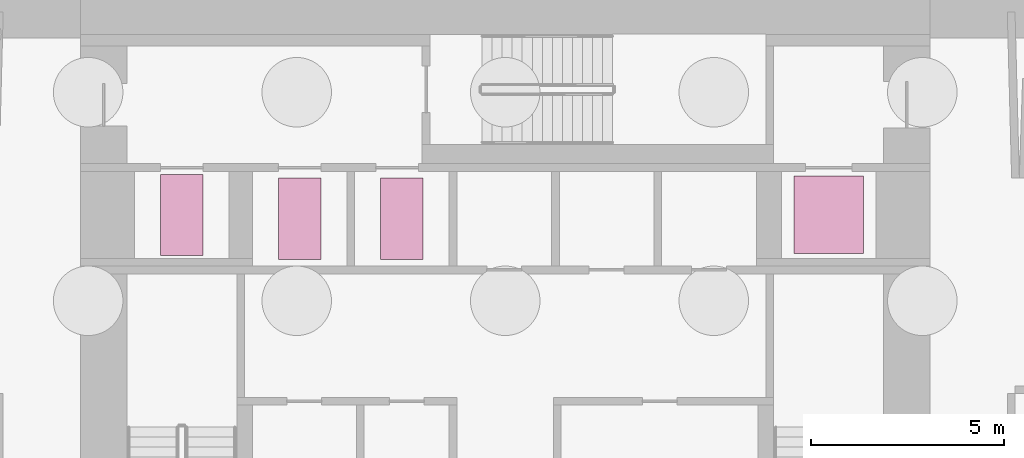
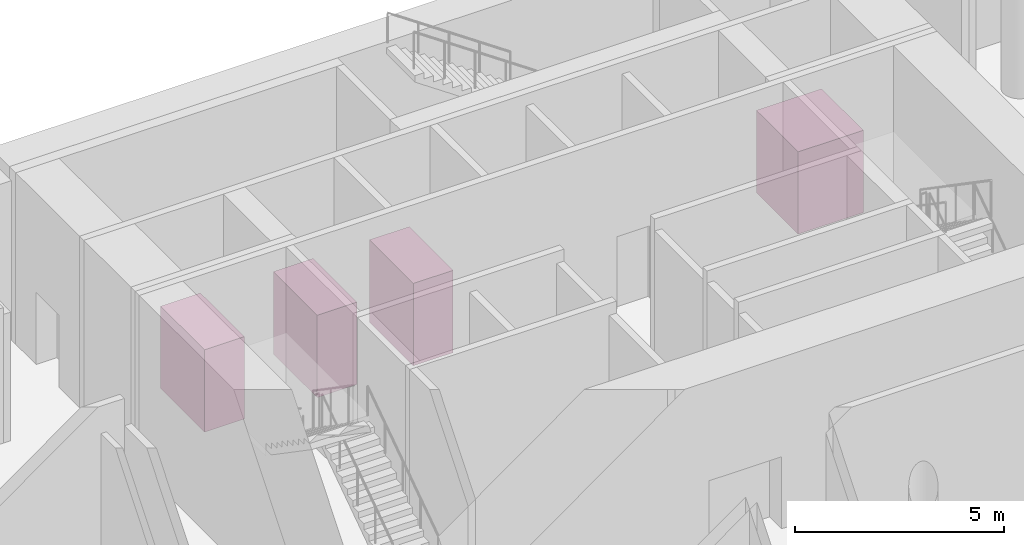
# One storey, part 12 of 12: 4 transport elements.
"""IFC4 building model written with IfcOpenShell, lengths in metres."""

import ifcopenshell
import ifcopenshell.guid

model = None  # the IFC model being written
_history = None  # IfcOwnerHistory: only IFC2X3 demands one
_inside = {}  # id of a spatial element -> (the spatial element, [elements in it])
_under = {}  # id of a project, library or spatial element -> (it, [spatial elements below it])
_declared = {}  # id of a project -> (the project, [libraries it declares])
_typed = {}  # id of a type object -> (the type object, [elements of that type])
_made_of = {}  # id of a material, layer set ... -> (it, [elements and type objects made of it])


def new_model(schema):
    """Start an empty IFC model of exactly this schema.

    Asked for "IFC4X3", IfcOpenShell would pick the latest addendum, in which some entities
    have other attributes; the version numbers below select the first issue.
    IFC2X3 requires an IfcOwnerHistory on every rooted entity: one is made here for all.
    """
    global model, _history
    if schema == "IFC4X3":
        model = ifcopenshell.file(schema_version=(4, 3, 0, 0))
    else:
        model = ifcopenshell.file(schema=schema)
    _inside.clear()
    _under.clear()
    _declared.clear()
    _typed.clear()
    _made_of.clear()
    _history = None
    if model.schema == "IFC2X3":
        org = make("IfcOrganization", Name="unknown")
        user = make(
            "IfcPersonAndOrganization",
            ThePerson=make("IfcPerson", FamilyName="unknown"),
            TheOrganization=org,
        )
        app = make(
            "IfcApplication",
            ApplicationDeveloper=org,
            Version="unknown",
            ApplicationFullName="unknown",
            ApplicationIdentifier="unknown",
        )
        _history = make(
            "IfcOwnerHistory",
            OwningUser=user,
            OwningApplication=app,
            ChangeAction="ADDED",
            CreationDate=0,
        )
    return model


def make(cls, **values):
    """One entity of the class cls with the attributes given. An attribute that is None is left unset."""
    return model.create_entity(
        cls, **{name: value for name, value in values.items() if value is not None}
    )


def rooted(cls, **values):
    """An entity with a GlobalId (a new one), such as an element, a storey or a relation."""
    return make(cls, GlobalId=ifcopenshell.guid.new(), OwnerHistory=_history, **values)


def si_unit(unit_type, name, prefix=None):
    """IfcSIUnit, for example si_unit("LENGTHUNIT", "METRE", prefix="MILLI")."""
    return make("IfcSIUnit", UnitType=unit_type, Prefix=prefix, Name=name)


def assignment(units):
    """IfcUnitAssignment: the units of a project."""
    return None if units is None else make("IfcUnitAssignment", Units=units)


def point(xyz):
    """IfcCartesianPoint."""
    return None if xyz is None else make("IfcCartesianPoint", Coordinates=xyz)


def direction(xyz):
    """IfcDirection."""
    return None if xyz is None else make("IfcDirection", DirectionRatios=xyz)


def frame(location, z_axis=None, x_axis=None):
    """IfcAxis2Placement3D, a coordinate frame: its origin and axes. An axis left out is left unset."""
    return make(
        "IfcAxis2Placement3D",
        Location=point(location),
        Axis=direction(z_axis),
        RefDirection=direction(x_axis),
    )


def frame_2d(location, x_axis=None):
    """IfcAxis2Placement2D, a coordinate frame in the plane: its origin and x axis."""
    return make(
        "IfcAxis2Placement2D", Location=point(location), RefDirection=direction(x_axis)
    )


def origin():
    """The frame at (0, 0, 0) with its axes left unset."""
    return frame((0.0, 0.0, 0.0))


def origin_2d():
    """The frame at (0, 0) in the plane with its x axis left unset."""
    return frame_2d((0.0, 0.0))


def place(relative_to, where):
    """IfcLocalPlacement: puts the frame where relative to a parent placement (None: the world)."""
    return make(
        "IfcLocalPlacement", PlacementRelTo=relative_to, RelativePlacement=where
    )


def context(
    kind, dimensions, precision=None, world=None, true_north=None, identifier=None
):
    """IfcGeometricRepresentationContext, for example the 3D "Model" context."""
    return make(
        "IfcGeometricRepresentationContext",
        ContextIdentifier=identifier,
        ContextType=kind,
        CoordinateSpaceDimension=dimensions,
        Precision=precision,
        WorldCoordinateSystem=world,
        TrueNorth=true_north,
    )


def subcontext(parent, identifier, kind, view, scale=None):
    """IfcGeometricRepresentationSubContext, for example "Body" below "Model"."""
    return make(
        "IfcGeometricRepresentationSubContext",
        ContextIdentifier=identifier,
        ContextType=kind,
        ParentContext=parent,
        TargetScale=scale,
        TargetView=view,
    )


def project(units=None, contexts=None):
    """IfcProject with its units and contexts."""
    return rooted(
        "IfcProject",
        Name="project",
        RepresentationContexts=contexts,
        UnitsInContext=assignment(units),
    )


def spatial(cls, under=None, at=None, **own):
    """A site, building, storey or space (cls), placed at a placement, below another one or the project."""
    s = rooted(cls, ObjectPlacement=at, **own)
    if under is not None:
        _under.setdefault(under.id(), (under, []))[1].append(s)
    return s


def profile(cls, at=None, kind="AREA", **sizes):
    """A parametric profile (cls). Its sizes go by their IFC names, for example OverallWidth=200.0."""
    return make(cls, ProfileType=kind, Position=at, **sizes)


def rectangle(**sizes):
    """IfcRectangleProfileDef."""
    return profile("IfcRectangleProfileDef", **sizes)


def extrude(swept, where, along, depth):
    """IfcExtrudedAreaSolid: the profile swept, set in the frame where, extruded along a direction by depth."""
    return make(
        "IfcExtrudedAreaSolid",
        SweptArea=swept,
        Position=where,
        ExtrudedDirection=direction(along),
        Depth=depth,
    )


def shape(context_of_items, identifier, shape_type, items):
    """IfcShapeRepresentation: the items that make up one representation, for example the "Body"."""
    return make(
        "IfcShapeRepresentation",
        ContextOfItems=context_of_items,
        RepresentationIdentifier=identifier,
        RepresentationType=shape_type,
        Items=items,
    )


def material(Name=None, Category=None):
    """IfcMaterial."""
    return make("IfcMaterial", Name=Name, Category=Category)


def made_of(thing, what):
    """Note that an element or type object is made of a material, layer set ...; save() writes the relation."""
    if what is not None:
        _made_of.setdefault(what.id(), (what, []))[1].append(thing)
    return thing


def type_object(cls, material=None, **own):
    """A type object (cls), such as IfcWallType, which elements share."""
    return made_of(rooted(cls, **own), material)


def element(
    cls,
    number,
    at=None,
    inside=None,
    cuts=None,
    type_object=None,
    material=None,
    context=None,
    identifier="Body",
    shape_type=None,
    held_by="IfcProductDefinitionShape",
    body=None,
    shapes=None,
    **own,
):
    """One element of the class cls, such as IfcWall. Its Tag is "e" and its number.

    at: its placement. inside: the storey or other place that contains it. cuts: it is an
    opening in that element (IfcRelVoidsElement). A single representation is given by context,
    identifier, shape_type and body (its items); several are given by shapes. held_by: the class
    of the entity that holds the representations. save() writes the other relations.
    """
    e = rooted(cls, Tag="e%d" % number, ObjectPlacement=at, **own)
    if body is not None:
        shapes = [shape(context, identifier, shape_type, body)]
    if shapes is not None:
        e.Representation = make(held_by, Representations=shapes)
    if inside is not None:
        _inside.setdefault(inside.id(), (inside, []))[1].append(e)
    if cuts is not None:
        rooted(
            "IfcRelVoidsElement", RelatingBuildingElement=cuts, RelatedOpeningElement=e
        )
    if type_object is not None:
        _typed.setdefault(type_object.id(), (type_object, []))[1].append(e)
    return made_of(e, material)


def aggregate(whole, parts):
    """IfcRelAggregates: a whole, such as a stair, and the parts it consists of."""
    return rooted("IfcRelAggregates", RelatingObject=whole, RelatedObjects=parts)


def save(model, path):
    """Write the relations noted so far, then the file.

    IfcRelAggregates (storeys below a building ...), IfcRelContainedInSpatialStructure (elements
    in a storey), IfcRelDefinesByType, IfcRelAssociatesMaterial and IfcRelDeclares: one each for
    every whole, place, type object, material and project.
    """
    for whole, parts in _under.values():
        aggregate(whole, parts)
    for where, things in _inside.values():
        rooted(
            "IfcRelContainedInSpatialStructure",
            RelatedElements=things,
            RelatingStructure=where,
        )
    for kind, things in _typed.values():
        rooted("IfcRelDefinesByType", RelatedObjects=things, RelatingType=kind)
    for what, things in _made_of.values():
        rooted("IfcRelAssociatesMaterial", RelatedObjects=things, RelatingMaterial=what)
    for by, libraries in _declared.values():
        rooted("IfcRelDeclares", RelatingContext=by, RelatedDefinitions=libraries)
    model.write(path)


model = new_model("IFC4")

# Units and contexts
model_context = context("Model", 3, precision=1e-05, world=origin(), true_north=direction((0.0, 1.0)))
body_context = subcontext(model_context, "Body", "Model", "MODEL_VIEW")
ifc_project = project(units=[si_unit("LENGTHUNIT", "METRE"), si_unit("AREAUNIT", "SQUARE_METRE"), si_unit("VOLUMEUNIT", "CUBIC_METRE"), si_unit("PLANEANGLEUNIT", "RADIAN"), si_unit("MASSUNIT", "GRAM", prefix="KILO")], contexts=[model_context])

# Site, building, storey
site_placement = place(None, origin())
site = spatial("IfcSite", under=ifc_project, at=site_placement, CompositionType="ELEMENT")
building_placement = place(site_placement, origin())
building = spatial("IfcBuilding", under=site, at=building_placement, Name="White Candle Pilgrim Tower", CompositionType="ELEMENT")
storey_placement = place(building_placement, frame((0.0, 0.0, -10.0)))
storey = spatial("IfcBuildingStorey", under=building, at=storey_placement, Name="B2", CompositionType="ELEMENT", Elevation=-10.0)

# Transport elements
ifc_material = material(Name="Stainless steel", Category="steel")
transport_element_type_1 = type_object("IfcTransportElementType", Name="Fire-fighting lift car FL1 1100 x 2100 1000 kg", PredefinedType="ELEVATOR", material=ifc_material)
transport_element_1_placement = place(storey_placement, frame((64.675048828125, 82.324951171875, 0.0), z_axis=(0.0, 0.0, 1.0), x_axis=(1.0, 0.0, 0.0)))
element("IfcTransportElement", 1, at=transport_element_1_placement, inside=storey, type_object=transport_element_type_1, Name="Fire-fighting lift FL1", PredefinedType="ELEVATOR", context=body_context, shape_type="SweptSolid", body=[
    extrude(rectangle(XDim=1.10009765625, YDim=2.10009765625, at=origin_2d()), origin(), (0.0, 0.0, 1.0), 2.39990234375),
])
transport_element_type_2 = type_object("IfcTransportElementType", Name="Fire-fighting lift car FL2 1100 x 2100 1000 kg", PredefinedType="ELEVATOR", material=ifc_material)
transport_element_2_placement = place(storey_placement, frame((67.324951171875, 82.324951171875, 0.0), z_axis=(0.0, 0.0, 1.0), x_axis=(1.0, 0.0, 0.0)))
element("IfcTransportElement", 2, at=transport_element_2_placement, inside=storey, type_object=transport_element_type_2, Name="Fire-fighting lift FL2", PredefinedType="ELEVATOR", context=body_context, shape_type="SweptSolid", body=[
    extrude(rectangle(XDim=1.10009765625, YDim=2.10009765625, at=origin_2d()), origin(), (0.0, 0.0, 1.0), 2.39990234375),
])
transport_element_type_3 = type_object("IfcTransportElementType", Name="Fire-fighting lift car FL3 1100 x 2100 1000 kg", PredefinedType="ELEVATOR", material=ifc_material)
transport_element_3_placement = place(storey_placement, frame((61.625, 82.425048828125, 0.0), z_axis=(0.0, 0.0, 1.0), x_axis=(1.0, 0.0, 0.0)))
element("IfcTransportElement", 3, at=transport_element_3_placement, inside=storey, type_object=transport_element_type_3, Name="Fire-fighting lift FL3", PredefinedType="ELEVATOR", context=body_context, shape_type="SweptSolid", body=[
    extrude(rectangle(XDim=1.10009765625, YDim=2.10009765625, at=origin_2d()), origin(), (0.0, 0.0, 1.0), 2.39990234375),
])
transport_element_type_4 = type_object("IfcTransportElementType", Name="Service lift car SV1 1800 x 2000 2000 kg", PredefinedType="ELEVATOR", material=ifc_material)
transport_element_4_placement = place(storey_placement, frame((78.375, 82.425048828125, 0.0), z_axis=(0.0, 0.0, 1.0), x_axis=(1.0, 0.0, 0.0)))
element("IfcTransportElement", 4, at=transport_element_4_placement, inside=storey, type_object=transport_element_type_4, Name="Service lift SV1", PredefinedType="ELEVATOR", context=body_context, shape_type="SweptSolid", body=[
    extrude(rectangle(XDim=1.800048828125, YDim=2.0, at=origin_2d()), origin(), (0.0, 0.0, 1.0), 2.39990234375),
])

save(model, "model.ifc")
